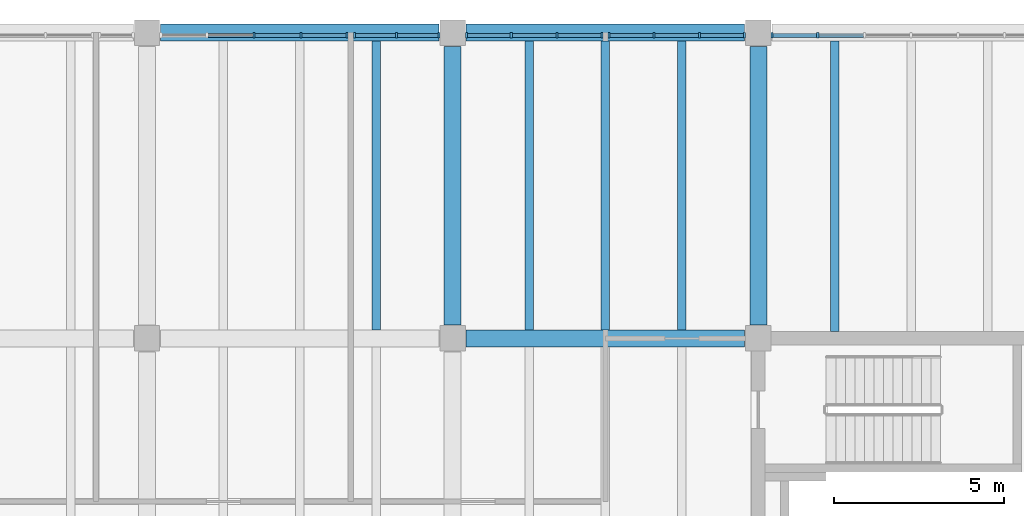
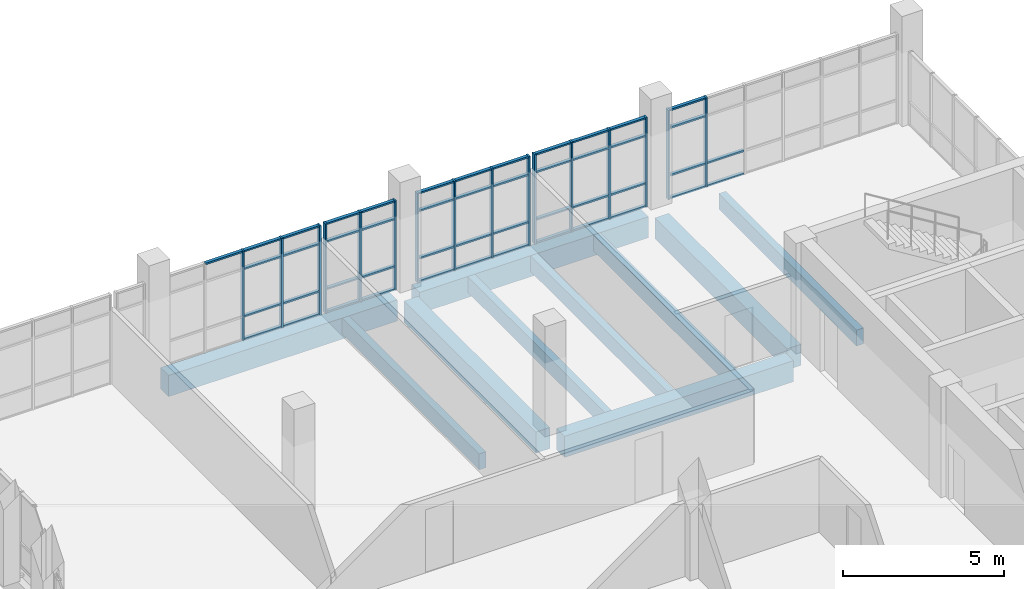
# One storey, part 5 of 14: 63 members, 10 beams, 5 elements without a shape of their own.
"""IFC4 building model written with IfcOpenShell, lengths in metres."""

from ifc_helpers import new_model, si_unit, direction, frame, origin, origin_2d, place, context, subcontext, project, spatial, rectangle, extrude, material, material_profile, profile_set, type_object, element, aggregate, save


model = new_model("IFC4")

# Units and contexts
model_context = context("Model", 3, precision=1e-05, world=origin(), true_north=direction((0.0, 1.0)))
body_context = subcontext(model_context, "Body", "Model", "MODEL_VIEW")
ifc_project = project(units=[si_unit("LENGTHUNIT", "METRE"), si_unit("AREAUNIT", "SQUARE_METRE"), si_unit("VOLUMEUNIT", "CUBIC_METRE"), si_unit("PLANEANGLEUNIT", "RADIAN"), si_unit("MASSUNIT", "GRAM", prefix="KILO")], contexts=[model_context])

# Site, building, storey
site_placement = place(None, origin())
site = spatial("IfcSite", under=ifc_project, at=site_placement, CompositionType="ELEMENT")
building_placement = place(site_placement, origin())
building = spatial("IfcBuilding", under=site, at=building_placement, Name="Merrow Basin Faculty of Sciences", CompositionType="ELEMENT")
storey_placement = place(building_placement, frame((0.0, 0.0, 27.0)))
storey = spatial("IfcBuildingStorey", under=building, at=storey_placement, Name="L06", CompositionType="ELEMENT", Elevation=27.0)

# Curtain wall, members
ifc_material_1 = material(Name="Aluminium alloy 6063", Category="aluminium")
curtain_wall_type = type_object("IfcCurtainWallType", Name="Unitised curtain wall 160", PredefinedType="NOTDEFINED", material=ifc_material_1)
curtain_wall_1_placement = place(storey_placement, origin())
curtain_wall_1 = element("IfcCurtainWall", 1, at=curtain_wall_1_placement, inside=storey, type_object=curtain_wall_type, Name="N curtain wall L06 3", PredefinedType="NOTDEFINED")
ifc_material_2 = material(Name="Aluminium alloy 6063", Category="aluminium")
ifc_material_profile_1 = material_profile(ifc_material_2, rectangle(XDim=0.159912109375, YDim=0.06005859375, at=origin_2d()))
ifc_profile_set_1 = profile_set([ifc_material_profile_1], Name="Aluminium alloy 6063")
member_type_1 = type_object("IfcMemberType", Name="Aluminium mullion 60x160", PredefinedType="MULLION", material=ifc_profile_set_1)
member_1_placement = place(storey_placement, frame((30.14990234375, 168.919921875, 0.0), z_axis=(0.0, 0.0, 1.0), x_axis=(0.0, 1.0, 0.0)))
member_1 = element("IfcMember", 2, at=member_1_placement, type_object=member_type_1, Name="CW3 mullion 3", PredefinedType="MULLION", context=body_context, shape_type="SweptSolid", body=[
    extrude(rectangle(XDim=0.159912109375, YDim=0.06005859375, at=origin_2d()), origin(), (0.0, 0.0, 1.0), 3.39990234375),
])
member_2_placement = place(storey_placement, frame((31.53759765625, 168.919921875, 0.0), z_axis=(0.0, 0.0, 1.0), x_axis=(0.0, 1.0, 0.0)))
member_2 = element("IfcMember", 3, at=member_2_placement, type_object=member_type_1, Name="CW3 mullion 4", PredefinedType="MULLION", context=body_context, shape_type="SweptSolid", body=[
    extrude(rectangle(XDim=0.159912109375, YDim=0.06005859375, at=origin_2d()), origin(), (0.0, 0.0, 1.0), 3.39990234375),
])
member_3_placement = place(storey_placement, frame((32.89501953125, 168.919921875, 0.0), z_axis=(0.0, 0.0, 1.0), x_axis=(0.0, 1.0, 0.0)))
member_3 = element("IfcMember", 4, at=member_3_placement, type_object=member_type_1, Name="CW3 mullion 5", PredefinedType="MULLION", context=body_context, shape_type="SweptSolid", body=[
    extrude(rectangle(XDim=0.159912109375, YDim=0.06005859375, at=origin_2d()), origin(), (0.0, 0.0, 1.0), 3.39990234375),
])

curtain_wall_2_placement = place(storey_placement, origin())
curtain_wall_2 = element("IfcCurtainWall", 5, at=curtain_wall_2_placement, inside=storey, type_object=curtain_wall_type, Name="N curtain wall L06 4", PredefinedType="NOTDEFINED")
member_4_placement = place(storey_placement, frame((33.10498046875, 168.919921875, 0.0), z_axis=(0.0, 0.0, 1.0), x_axis=(0.0, 1.0, 0.0)))
member_4 = element("IfcMember", 6, at=member_4_placement, type_object=member_type_1, Name="CW3 mullion 1", PredefinedType="MULLION", context=body_context, shape_type="SweptSolid", body=[
    extrude(rectangle(XDim=0.159912109375, YDim=0.06005859375, at=origin_2d()), origin(), (0.0, 0.0, 1.0), 3.39990234375),
])
member_5_placement = place(storey_placement, frame((34.35009765625, 168.919921875, 0.0), z_axis=(0.0, 0.0, 1.0), x_axis=(0.0, 1.0, 0.0)))
member_5 = element("IfcMember", 7, at=member_5_placement, type_object=member_type_1, Name="CW3 mullion 2", PredefinedType="MULLION", context=body_context, shape_type="SweptSolid", body=[
    extrude(rectangle(XDim=0.159912109375, YDim=0.06005859375, at=origin_2d()), origin(), (0.0, 0.0, 1.0), 3.39990234375),
])
member_6_placement = place(storey_placement, frame((35.594970703125, 168.919921875, 0.0), z_axis=(0.0, 0.0, 1.0), x_axis=(0.0, 1.0, 0.0)))
member_6 = element("IfcMember", 8, at=member_6_placement, type_object=member_type_1, Name="CW3 mullion 3", PredefinedType="MULLION", context=body_context, shape_type="SweptSolid", body=[
    extrude(rectangle(XDim=0.159912109375, YDim=0.06005859375, at=origin_2d()), origin(), (0.0, 0.0, 1.0), 3.39990234375),
])

curtain_wall_3_placement = place(storey_placement, origin())
curtain_wall_3 = element("IfcCurtainWall", 9, at=curtain_wall_3_placement, inside=storey, type_object=curtain_wall_type, Name="N curtain wall L06 5", PredefinedType="NOTDEFINED")
member_7_placement = place(storey_placement, frame((36.405029296875, 168.919921875, 0.0), z_axis=(0.0, 0.0, 1.0), x_axis=(0.0, 1.0, 0.0)))
member_7 = element("IfcMember", 10, at=member_7_placement, type_object=member_type_1, Name="CW3 mullion 1", PredefinedType="MULLION", context=body_context, shape_type="SweptSolid", body=[
    extrude(rectangle(XDim=0.159912109375, YDim=0.06005859375, at=origin_2d()), origin(), (0.0, 0.0, 1.0), 3.39990234375),
])
member_8_placement = place(storey_placement, frame((37.72509765625, 168.919921875, 0.0), z_axis=(0.0, 0.0, 1.0), x_axis=(0.0, 1.0, 0.0)))
member_8 = element("IfcMember", 11, at=member_8_placement, type_object=member_type_1, Name="CW3 mullion 2", PredefinedType="MULLION", context=body_context, shape_type="SweptSolid", body=[
    extrude(rectangle(XDim=0.159912109375, YDim=0.06005859375, at=origin_2d()), origin(), (0.0, 0.0, 1.0), 3.39990234375),
])
member_9_placement = place(storey_placement, frame((39.074951171875, 168.919921875, 0.0), z_axis=(0.0, 0.0, 1.0), x_axis=(0.0, 1.0, 0.0)))
member_9 = element("IfcMember", 12, at=member_9_placement, type_object=member_type_1, Name="CW3 mullion 3", PredefinedType="MULLION", context=body_context, shape_type="SweptSolid", body=[
    extrude(rectangle(XDim=0.159912109375, YDim=0.06005859375, at=origin_2d()), origin(), (0.0, 0.0, 1.0), 3.39990234375),
])
member_10_placement = place(storey_placement, frame((40.39501953125, 168.919921875, 0.0), z_axis=(0.0, 0.0, 1.0), x_axis=(0.0, 1.0, 0.0)))
member_10 = element("IfcMember", 13, at=member_10_placement, type_object=member_type_1, Name="CW3 mullion 4", PredefinedType="MULLION", context=body_context, shape_type="SweptSolid", body=[
    extrude(rectangle(XDim=0.159912109375, YDim=0.06005859375, at=origin_2d()), origin(), (0.0, 0.0, 1.0), 3.39990234375),
])

curtain_wall_4_placement = place(storey_placement, origin())
curtain_wall_4 = element("IfcCurtainWall", 14, at=curtain_wall_4_placement, inside=storey, type_object=curtain_wall_type, Name="N curtain wall L06 6", PredefinedType="NOTDEFINED")
member_11_placement = place(storey_placement, frame((40.60498046875, 168.919921875, 0.0), z_axis=(0.0, 0.0, 1.0), x_axis=(0.0, 1.0, 0.0)))
member_11 = element("IfcMember", 15, at=member_11_placement, type_object=member_type_1, Name="CW3 mullion 1", PredefinedType="MULLION", context=body_context, shape_type="SweptSolid", body=[
    extrude(rectangle(XDim=0.159912109375, YDim=0.06005859375, at=origin_2d()), origin(), (0.0, 0.0, 1.0), 3.39990234375),
])
member_12_placement = place(storey_placement, frame((41.925048828125, 168.919921875, 0.0), z_axis=(0.0, 0.0, 1.0), x_axis=(0.0, 1.0, 0.0)))
member_12 = element("IfcMember", 16, at=member_12_placement, type_object=member_type_1, Name="CW3 mullion 2", PredefinedType="MULLION", context=body_context, shape_type="SweptSolid", body=[
    extrude(rectangle(XDim=0.159912109375, YDim=0.06005859375, at=origin_2d()), origin(), (0.0, 0.0, 1.0), 3.39990234375),
])
member_13_placement = place(storey_placement, frame((43.27490234375, 168.919921875, 0.0), z_axis=(0.0, 0.0, 1.0), x_axis=(0.0, 1.0, 0.0)))
member_13 = element("IfcMember", 17, at=member_13_placement, type_object=member_type_1, Name="CW3 mullion 3", PredefinedType="MULLION", context=body_context, shape_type="SweptSolid", body=[
    extrude(rectangle(XDim=0.159912109375, YDim=0.06005859375, at=origin_2d()), origin(), (0.0, 0.0, 1.0), 3.39990234375),
])
member_14_placement = place(storey_placement, frame((44.594970703125, 168.919921875, 0.0), z_axis=(0.0, 0.0, 1.0), x_axis=(0.0, 1.0, 0.0)))
member_14 = element("IfcMember", 18, at=member_14_placement, type_object=member_type_1, Name="CW3 mullion 4", PredefinedType="MULLION", context=body_context, shape_type="SweptSolid", body=[
    extrude(rectangle(XDim=0.159912109375, YDim=0.06005859375, at=origin_2d()), origin(), (0.0, 0.0, 1.0), 3.39990234375),
])

curtain_wall_5_placement = place(storey_placement, origin())
curtain_wall_5 = element("IfcCurtainWall", 19, at=curtain_wall_5_placement, inside=storey, type_object=curtain_wall_type, Name="N curtain wall L06 7", PredefinedType="NOTDEFINED")
member_15_placement = place(storey_placement, frame((45.405029296875, 168.919921875, 0.0), z_axis=(0.0, 0.0, 1.0), x_axis=(0.0, 1.0, 0.0)))
member_15 = element("IfcMember", 20, at=member_15_placement, type_object=member_type_1, Name="CW3 mullion 1", PredefinedType="MULLION", context=body_context, shape_type="SweptSolid", body=[
    extrude(rectangle(XDim=0.159912109375, YDim=0.06005859375, at=origin_2d()), origin(), (0.0, 0.0, 1.0), 3.39990234375),
])
member_16_placement = place(storey_placement, frame((46.75, 168.919921875, 0.0), z_axis=(0.0, 0.0, 1.0), x_axis=(0.0, 1.0, 0.0)))
member_16 = element("IfcMember", 21, at=member_16_placement, type_object=member_type_1, Name="CW3 mullion 2", PredefinedType="MULLION", context=body_context, shape_type="SweptSolid", body=[
    extrude(rectangle(XDim=0.159912109375, YDim=0.06005859375, at=origin_2d()), origin(), (0.0, 0.0, 1.0), 3.39990234375),
])

# Member
ifc_material_3 = material(Name="Aluminium alloy 6063", Category="aluminium")
ifc_material_profile_2 = material_profile(ifc_material_3, rectangle(XDim=0.1201171875, YDim=0.06005859375, at=origin_2d()))
ifc_profile_set_2 = profile_set([ifc_material_profile_2], Name="Aluminium alloy 6063")
member_type_2 = type_object("IfcMemberType", Name="Aluminium transom 60x120", PredefinedType="USERDEFINED", material=ifc_profile_set_2)
member_17_placement = place(storey_placement, frame((28.79248046875, 168.919921875, 3.3701171875), z_axis=(1.0, 0.0, 0.0), x_axis=(0.0, 1.0, 0.0)))
member_17 = element("IfcMember", 22, at=member_17_placement, type_object=member_type_2, Name="CW3 transom 2.4", ObjectType="TRANSOM", PredefinedType="USERDEFINED", context=body_context, shape_type="SweptSolid", body=[
    extrude(rectangle(XDim=0.1201171875, YDim=0.06005859375, at=origin_2d()), origin(), (0.0, 0.0, 1.0), 1.32763671875),
])

member_18_placement = place(storey_placement, frame((30.179931640625, 168.919921875, 0.030029296875), z_axis=(1.0, 0.0, 0.0), x_axis=(0.0, 1.0, 0.0)))
member_18 = element("IfcMember", 23, at=member_18_placement, type_object=member_type_2, Name="CW3 transom 3.1", ObjectType="TRANSOM", PredefinedType="USERDEFINED", context=body_context, shape_type="SweptSolid", body=[
    extrude(rectangle(XDim=0.1201171875, YDim=0.06005859375, at=origin_2d()), origin(), (0.0, 0.0, 1.0), 1.32763671875),
])

member_19_placement = place(storey_placement, frame((30.179931640625, 168.919921875, 0.89990234375), z_axis=(1.0, 0.0, 0.0), x_axis=(0.0, 1.0, 0.0)))
member_19 = element("IfcMember", 24, at=member_19_placement, type_object=member_type_2, Name="CW3 transom 3.2", ObjectType="TRANSOM", PredefinedType="USERDEFINED", context=body_context, shape_type="SweptSolid", body=[
    extrude(rectangle(XDim=0.1201171875, YDim=0.06005859375, at=origin_2d()), origin(), (0.0, 0.0, 1.0), 1.32763671875),
])

member_20_placement = place(storey_placement, frame((30.179931640625, 168.919921875, 2.699951171875), z_axis=(1.0, 0.0, 0.0), x_axis=(0.0, 1.0, 0.0)))
member_20 = element("IfcMember", 25, at=member_20_placement, type_object=member_type_2, Name="CW3 transom 3.3", ObjectType="TRANSOM", PredefinedType="USERDEFINED", context=body_context, shape_type="SweptSolid", body=[
    extrude(rectangle(XDim=0.1201171875, YDim=0.06005859375, at=origin_2d()), origin(), (0.0, 0.0, 1.0), 1.32763671875),
])

member_21_placement = place(storey_placement, frame((30.179931640625, 168.919921875, 3.3701171875), z_axis=(1.0, 0.0, 0.0), x_axis=(0.0, 1.0, 0.0)))
member_21 = element("IfcMember", 26, at=member_21_placement, type_object=member_type_2, Name="CW3 transom 3.4", ObjectType="TRANSOM", PredefinedType="USERDEFINED", context=body_context, shape_type="SweptSolid", body=[
    extrude(rectangle(XDim=0.1201171875, YDim=0.06005859375, at=origin_2d()), origin(), (0.0, 0.0, 1.0), 1.32763671875),
])

member_22_placement = place(storey_placement, frame((31.5673828125, 168.919921875, 0.030029296875), z_axis=(1.0, 0.0, 0.0), x_axis=(0.0, 1.0, 0.0)))
member_22 = element("IfcMember", 27, at=member_22_placement, type_object=member_type_2, Name="CW3 transom 4.1", ObjectType="TRANSOM", PredefinedType="USERDEFINED", context=body_context, shape_type="SweptSolid", body=[
    extrude(rectangle(XDim=0.1201171875, YDim=0.06005859375, at=origin_2d()), origin(), (0.0, 0.0, 1.0), 1.297607421875),
])

member_23_placement = place(storey_placement, frame((31.5673828125, 168.919921875, 0.89990234375), z_axis=(1.0, 0.0, 0.0), x_axis=(0.0, 1.0, 0.0)))
member_23 = element("IfcMember", 28, at=member_23_placement, type_object=member_type_2, Name="CW3 transom 4.2", ObjectType="TRANSOM", PredefinedType="USERDEFINED", context=body_context, shape_type="SweptSolid", body=[
    extrude(rectangle(XDim=0.1201171875, YDim=0.06005859375, at=origin_2d()), origin(), (0.0, 0.0, 1.0), 1.297607421875),
])

member_24_placement = place(storey_placement, frame((31.5673828125, 168.919921875, 2.699951171875), z_axis=(1.0, 0.0, 0.0), x_axis=(0.0, 1.0, 0.0)))
member_24 = element("IfcMember", 29, at=member_24_placement, type_object=member_type_2, Name="CW3 transom 4.3", ObjectType="TRANSOM", PredefinedType="USERDEFINED", context=body_context, shape_type="SweptSolid", body=[
    extrude(rectangle(XDim=0.1201171875, YDim=0.06005859375, at=origin_2d()), origin(), (0.0, 0.0, 1.0), 1.297607421875),
])

member_25_placement = place(storey_placement, frame((31.5673828125, 168.919921875, 3.3701171875), z_axis=(1.0, 0.0, 0.0), x_axis=(0.0, 1.0, 0.0)))
member_25 = element("IfcMember", 30, at=member_25_placement, type_object=member_type_2, Name="CW3 transom 4.4", ObjectType="TRANSOM", PredefinedType="USERDEFINED", context=body_context, shape_type="SweptSolid", body=[
    extrude(rectangle(XDim=0.1201171875, YDim=0.06005859375, at=origin_2d()), origin(), (0.0, 0.0, 1.0), 1.297607421875),
])

aggregate(curtain_wall_1, [member_1, member_2, member_3, member_17, member_18, member_19, member_20, member_21, member_22, member_23, member_24, member_25])

member_26_placement = place(storey_placement, frame((33.135009765625, 168.919921875, 0.030029296875), z_axis=(1.0, 0.0, 0.0), x_axis=(0.0, 1.0, 0.0)))
member_26 = element("IfcMember", 31, at=member_26_placement, type_object=member_type_2, Name="CW3 transom 1.1", ObjectType="TRANSOM", PredefinedType="USERDEFINED", context=body_context, shape_type="SweptSolid", body=[
    extrude(rectangle(XDim=0.1201171875, YDim=0.06005859375, at=origin_2d()), origin(), (0.0, 0.0, 1.0), 1.18505859375),
])

member_27_placement = place(storey_placement, frame((33.135009765625, 168.919921875, 0.89990234375), z_axis=(1.0, 0.0, 0.0), x_axis=(0.0, 1.0, 0.0)))
member_27 = element("IfcMember", 32, at=member_27_placement, type_object=member_type_2, Name="CW3 transom 1.2", ObjectType="TRANSOM", PredefinedType="USERDEFINED", context=body_context, shape_type="SweptSolid", body=[
    extrude(rectangle(XDim=0.1201171875, YDim=0.06005859375, at=origin_2d()), origin(), (0.0, 0.0, 1.0), 1.18505859375),
])

member_28_placement = place(storey_placement, frame((33.135009765625, 168.919921875, 2.699951171875), z_axis=(1.0, 0.0, 0.0), x_axis=(0.0, 1.0, 0.0)))
member_28 = element("IfcMember", 33, at=member_28_placement, type_object=member_type_2, Name="CW3 transom 1.3", ObjectType="TRANSOM", PredefinedType="USERDEFINED", context=body_context, shape_type="SweptSolid", body=[
    extrude(rectangle(XDim=0.1201171875, YDim=0.06005859375, at=origin_2d()), origin(), (0.0, 0.0, 1.0), 1.18505859375),
])

member_29_placement = place(storey_placement, frame((33.135009765625, 168.919921875, 3.3701171875), z_axis=(1.0, 0.0, 0.0), x_axis=(0.0, 1.0, 0.0)))
member_29 = element("IfcMember", 34, at=member_29_placement, type_object=member_type_2, Name="CW3 transom 1.4", ObjectType="TRANSOM", PredefinedType="USERDEFINED", context=body_context, shape_type="SweptSolid", body=[
    extrude(rectangle(XDim=0.1201171875, YDim=0.06005859375, at=origin_2d()), origin(), (0.0, 0.0, 1.0), 1.18505859375),
])

member_30_placement = place(storey_placement, frame((34.3798828125, 168.919921875, 0.030029296875), z_axis=(1.0, 0.0, 0.0), x_axis=(0.0, 1.0, 0.0)))
member_30 = element("IfcMember", 35, at=member_30_placement, type_object=member_type_2, Name="CW3 transom 2.1", ObjectType="TRANSOM", PredefinedType="USERDEFINED", context=body_context, shape_type="SweptSolid", body=[
    extrude(rectangle(XDim=0.1201171875, YDim=0.06005859375, at=origin_2d()), origin(), (0.0, 0.0, 1.0), 1.18505859375),
])

member_31_placement = place(storey_placement, frame((34.3798828125, 168.919921875, 0.89990234375), z_axis=(1.0, 0.0, 0.0), x_axis=(0.0, 1.0, 0.0)))
member_31 = element("IfcMember", 36, at=member_31_placement, type_object=member_type_2, Name="CW3 transom 2.2", ObjectType="TRANSOM", PredefinedType="USERDEFINED", context=body_context, shape_type="SweptSolid", body=[
    extrude(rectangle(XDim=0.1201171875, YDim=0.06005859375, at=origin_2d()), origin(), (0.0, 0.0, 1.0), 1.18505859375),
])

member_32_placement = place(storey_placement, frame((34.3798828125, 168.919921875, 2.699951171875), z_axis=(1.0, 0.0, 0.0), x_axis=(0.0, 1.0, 0.0)))
member_32 = element("IfcMember", 37, at=member_32_placement, type_object=member_type_2, Name="CW3 transom 2.3", ObjectType="TRANSOM", PredefinedType="USERDEFINED", context=body_context, shape_type="SweptSolid", body=[
    extrude(rectangle(XDim=0.1201171875, YDim=0.06005859375, at=origin_2d()), origin(), (0.0, 0.0, 1.0), 1.18505859375),
])

member_33_placement = place(storey_placement, frame((34.3798828125, 168.919921875, 3.3701171875), z_axis=(1.0, 0.0, 0.0), x_axis=(0.0, 1.0, 0.0)))
member_33 = element("IfcMember", 38, at=member_33_placement, type_object=member_type_2, Name="CW3 transom 2.4", ObjectType="TRANSOM", PredefinedType="USERDEFINED", context=body_context, shape_type="SweptSolid", body=[
    extrude(rectangle(XDim=0.1201171875, YDim=0.06005859375, at=origin_2d()), origin(), (0.0, 0.0, 1.0), 1.18505859375),
])

aggregate(curtain_wall_2, [member_4, member_5, member_6, member_26, member_27, member_28, member_29, member_30, member_31, member_32, member_33])

member_34_placement = place(storey_placement, frame((36.43505859375, 168.919921875, 0.030029296875), z_axis=(1.0, 0.0, 0.0), x_axis=(0.0, 1.0, 0.0)))
member_34 = element("IfcMember", 39, at=member_34_placement, type_object=member_type_2, Name="CW3 transom 1.1", ObjectType="TRANSOM", PredefinedType="USERDEFINED", context=body_context, shape_type="SweptSolid", body=[
    extrude(rectangle(XDim=0.1201171875, YDim=0.06005859375, at=origin_2d()), origin(), (0.0, 0.0, 1.0), 1.260009765625),
])

member_35_placement = place(storey_placement, frame((36.43505859375, 168.919921875, 0.89990234375), z_axis=(1.0, 0.0, 0.0), x_axis=(0.0, 1.0, 0.0)))
member_35 = element("IfcMember", 40, at=member_35_placement, type_object=member_type_2, Name="CW3 transom 1.2", ObjectType="TRANSOM", PredefinedType="USERDEFINED", context=body_context, shape_type="SweptSolid", body=[
    extrude(rectangle(XDim=0.1201171875, YDim=0.06005859375, at=origin_2d()), origin(), (0.0, 0.0, 1.0), 1.260009765625),
])

member_36_placement = place(storey_placement, frame((36.43505859375, 168.919921875, 2.699951171875), z_axis=(1.0, 0.0, 0.0), x_axis=(0.0, 1.0, 0.0)))
member_36 = element("IfcMember", 41, at=member_36_placement, type_object=member_type_2, Name="CW3 transom 1.3", ObjectType="TRANSOM", PredefinedType="USERDEFINED", context=body_context, shape_type="SweptSolid", body=[
    extrude(rectangle(XDim=0.1201171875, YDim=0.06005859375, at=origin_2d()), origin(), (0.0, 0.0, 1.0), 1.260009765625),
])

member_37_placement = place(storey_placement, frame((36.43505859375, 168.919921875, 3.3701171875), z_axis=(1.0, 0.0, 0.0), x_axis=(0.0, 1.0, 0.0)))
member_37 = element("IfcMember", 42, at=member_37_placement, type_object=member_type_2, Name="CW3 transom 1.4", ObjectType="TRANSOM", PredefinedType="USERDEFINED", context=body_context, shape_type="SweptSolid", body=[
    extrude(rectangle(XDim=0.1201171875, YDim=0.06005859375, at=origin_2d()), origin(), (0.0, 0.0, 1.0), 1.260009765625),
])

member_38_placement = place(storey_placement, frame((37.7548828125, 168.919921875, 0.030029296875), z_axis=(1.0, 0.0, 0.0), x_axis=(0.0, 1.0, 0.0)))
member_38 = element("IfcMember", 43, at=member_38_placement, type_object=member_type_2, Name="CW3 transom 2.1", ObjectType="TRANSOM", PredefinedType="USERDEFINED", context=body_context, shape_type="SweptSolid", body=[
    extrude(rectangle(XDim=0.1201171875, YDim=0.06005859375, at=origin_2d()), origin(), (0.0, 0.0, 1.0), 1.2900390625),
])

member_39_placement = place(storey_placement, frame((37.7548828125, 168.919921875, 0.89990234375), z_axis=(1.0, 0.0, 0.0), x_axis=(0.0, 1.0, 0.0)))
member_39 = element("IfcMember", 44, at=member_39_placement, type_object=member_type_2, Name="CW3 transom 2.2", ObjectType="TRANSOM", PredefinedType="USERDEFINED", context=body_context, shape_type="SweptSolid", body=[
    extrude(rectangle(XDim=0.1201171875, YDim=0.06005859375, at=origin_2d()), origin(), (0.0, 0.0, 1.0), 1.2900390625),
])

member_40_placement = place(storey_placement, frame((37.7548828125, 168.919921875, 2.699951171875), z_axis=(1.0, 0.0, 0.0), x_axis=(0.0, 1.0, 0.0)))
member_40 = element("IfcMember", 45, at=member_40_placement, type_object=member_type_2, Name="CW3 transom 2.3", ObjectType="TRANSOM", PredefinedType="USERDEFINED", context=body_context, shape_type="SweptSolid", body=[
    extrude(rectangle(XDim=0.1201171875, YDim=0.06005859375, at=origin_2d()), origin(), (0.0, 0.0, 1.0), 1.2900390625),
])

member_41_placement = place(storey_placement, frame((37.7548828125, 168.919921875, 3.3701171875), z_axis=(1.0, 0.0, 0.0), x_axis=(0.0, 1.0, 0.0)))
member_41 = element("IfcMember", 46, at=member_41_placement, type_object=member_type_2, Name="CW3 transom 2.4", ObjectType="TRANSOM", PredefinedType="USERDEFINED", context=body_context, shape_type="SweptSolid", body=[
    extrude(rectangle(XDim=0.1201171875, YDim=0.06005859375, at=origin_2d()), origin(), (0.0, 0.0, 1.0), 1.2900390625),
])

member_42_placement = place(storey_placement, frame((39.10498046875, 168.919921875, 0.030029296875), z_axis=(1.0, 0.0, 0.0), x_axis=(0.0, 1.0, 0.0)))
member_42 = element("IfcMember", 47, at=member_42_placement, type_object=member_type_2, Name="CW3 transom 3.1", ObjectType="TRANSOM", PredefinedType="USERDEFINED", context=body_context, shape_type="SweptSolid", body=[
    extrude(rectangle(XDim=0.1201171875, YDim=0.06005859375, at=origin_2d()), origin(), (0.0, 0.0, 1.0), 1.260009765625),
])

member_43_placement = place(storey_placement, frame((39.10498046875, 168.919921875, 0.89990234375), z_axis=(1.0, 0.0, 0.0), x_axis=(0.0, 1.0, 0.0)))
member_43 = element("IfcMember", 48, at=member_43_placement, type_object=member_type_2, Name="CW3 transom 3.2", ObjectType="TRANSOM", PredefinedType="USERDEFINED", context=body_context, shape_type="SweptSolid", body=[
    extrude(rectangle(XDim=0.1201171875, YDim=0.06005859375, at=origin_2d()), origin(), (0.0, 0.0, 1.0), 1.260009765625),
])

member_44_placement = place(storey_placement, frame((39.10498046875, 168.919921875, 2.699951171875), z_axis=(1.0, 0.0, 0.0), x_axis=(0.0, 1.0, 0.0)))
member_44 = element("IfcMember", 49, at=member_44_placement, type_object=member_type_2, Name="CW3 transom 3.3", ObjectType="TRANSOM", PredefinedType="USERDEFINED", context=body_context, shape_type="SweptSolid", body=[
    extrude(rectangle(XDim=0.1201171875, YDim=0.06005859375, at=origin_2d()), origin(), (0.0, 0.0, 1.0), 1.260009765625),
])

member_45_placement = place(storey_placement, frame((39.10498046875, 168.919921875, 3.3701171875), z_axis=(1.0, 0.0, 0.0), x_axis=(0.0, 1.0, 0.0)))
member_45 = element("IfcMember", 50, at=member_45_placement, type_object=member_type_2, Name="CW3 transom 3.4", ObjectType="TRANSOM", PredefinedType="USERDEFINED", context=body_context, shape_type="SweptSolid", body=[
    extrude(rectangle(XDim=0.1201171875, YDim=0.06005859375, at=origin_2d()), origin(), (0.0, 0.0, 1.0), 1.260009765625),
])

aggregate(curtain_wall_3, [member_7, member_8, member_9, member_10, member_34, member_35, member_36, member_37, member_38, member_39, member_40, member_41, member_42, member_43, member_44, member_45])

member_46_placement = place(storey_placement, frame((40.635009765625, 168.919921875, 0.030029296875), z_axis=(1.0, 0.0, 0.0), x_axis=(0.0, 1.0, 0.0)))
member_46 = element("IfcMember", 51, at=member_46_placement, type_object=member_type_2, Name="CW3 transom 1.1", ObjectType="TRANSOM", PredefinedType="USERDEFINED", context=body_context, shape_type="SweptSolid", body=[
    extrude(rectangle(XDim=0.1201171875, YDim=0.06005859375, at=origin_2d()), origin(), (0.0, 0.0, 1.0), 1.260009765625),
])

member_47_placement = place(storey_placement, frame((40.635009765625, 168.919921875, 0.89990234375), z_axis=(1.0, 0.0, 0.0), x_axis=(0.0, 1.0, 0.0)))
member_47 = element("IfcMember", 52, at=member_47_placement, type_object=member_type_2, Name="CW3 transom 1.2", ObjectType="TRANSOM", PredefinedType="USERDEFINED", context=body_context, shape_type="SweptSolid", body=[
    extrude(rectangle(XDim=0.1201171875, YDim=0.06005859375, at=origin_2d()), origin(), (0.0, 0.0, 1.0), 1.260009765625),
])

member_48_placement = place(storey_placement, frame((40.635009765625, 168.919921875, 2.699951171875), z_axis=(1.0, 0.0, 0.0), x_axis=(0.0, 1.0, 0.0)))
member_48 = element("IfcMember", 53, at=member_48_placement, type_object=member_type_2, Name="CW3 transom 1.3", ObjectType="TRANSOM", PredefinedType="USERDEFINED", context=body_context, shape_type="SweptSolid", body=[
    extrude(rectangle(XDim=0.1201171875, YDim=0.06005859375, at=origin_2d()), origin(), (0.0, 0.0, 1.0), 1.260009765625),
])

member_49_placement = place(storey_placement, frame((40.635009765625, 168.919921875, 3.3701171875), z_axis=(1.0, 0.0, 0.0), x_axis=(0.0, 1.0, 0.0)))
member_49 = element("IfcMember", 54, at=member_49_placement, type_object=member_type_2, Name="CW3 transom 1.4", ObjectType="TRANSOM", PredefinedType="USERDEFINED", context=body_context, shape_type="SweptSolid", body=[
    extrude(rectangle(XDim=0.1201171875, YDim=0.06005859375, at=origin_2d()), origin(), (0.0, 0.0, 1.0), 1.260009765625),
])

member_50_placement = place(storey_placement, frame((41.955078125, 168.919921875, 0.030029296875), z_axis=(1.0, 0.0, 0.0), x_axis=(0.0, 1.0, 0.0)))
member_50 = element("IfcMember", 55, at=member_50_placement, type_object=member_type_2, Name="CW3 transom 2.1", ObjectType="TRANSOM", PredefinedType="USERDEFINED", context=body_context, shape_type="SweptSolid", body=[
    extrude(rectangle(XDim=0.1201171875, YDim=0.06005859375, at=origin_2d()), origin(), (0.0, 0.0, 1.0), 1.2900390625),
])

member_51_placement = place(storey_placement, frame((41.955078125, 168.919921875, 0.89990234375), z_axis=(1.0, 0.0, 0.0), x_axis=(0.0, 1.0, 0.0)))
member_51 = element("IfcMember", 56, at=member_51_placement, type_object=member_type_2, Name="CW3 transom 2.2", ObjectType="TRANSOM", PredefinedType="USERDEFINED", context=body_context, shape_type="SweptSolid", body=[
    extrude(rectangle(XDim=0.1201171875, YDim=0.06005859375, at=origin_2d()), origin(), (0.0, 0.0, 1.0), 1.2900390625),
])

member_52_placement = place(storey_placement, frame((41.955078125, 168.919921875, 2.699951171875), z_axis=(1.0, 0.0, 0.0), x_axis=(0.0, 1.0, 0.0)))
member_52 = element("IfcMember", 57, at=member_52_placement, type_object=member_type_2, Name="CW3 transom 2.3", ObjectType="TRANSOM", PredefinedType="USERDEFINED", context=body_context, shape_type="SweptSolid", body=[
    extrude(rectangle(XDim=0.1201171875, YDim=0.06005859375, at=origin_2d()), origin(), (0.0, 0.0, 1.0), 1.2900390625),
])

member_53_placement = place(storey_placement, frame((41.955078125, 168.919921875, 3.3701171875), z_axis=(1.0, 0.0, 0.0), x_axis=(0.0, 1.0, 0.0)))
member_53 = element("IfcMember", 58, at=member_53_placement, type_object=member_type_2, Name="CW3 transom 2.4", ObjectType="TRANSOM", PredefinedType="USERDEFINED", context=body_context, shape_type="SweptSolid", body=[
    extrude(rectangle(XDim=0.1201171875, YDim=0.06005859375, at=origin_2d()), origin(), (0.0, 0.0, 1.0), 1.2900390625),
])

member_54_placement = place(storey_placement, frame((43.304931640625, 168.919921875, 0.030029296875), z_axis=(1.0, 0.0, 0.0), x_axis=(0.0, 1.0, 0.0)))
member_54 = element("IfcMember", 59, at=member_54_placement, type_object=member_type_2, Name="CW3 transom 3.1", ObjectType="TRANSOM", PredefinedType="USERDEFINED", context=body_context, shape_type="SweptSolid", body=[
    extrude(rectangle(XDim=0.1201171875, YDim=0.06005859375, at=origin_2d()), origin(), (0.0, 0.0, 1.0), 1.260009765625),
])

member_55_placement = place(storey_placement, frame((43.304931640625, 168.919921875, 0.89990234375), z_axis=(1.0, 0.0, 0.0), x_axis=(0.0, 1.0, 0.0)))
member_55 = element("IfcMember", 60, at=member_55_placement, type_object=member_type_2, Name="CW3 transom 3.2", ObjectType="TRANSOM", PredefinedType="USERDEFINED", context=body_context, shape_type="SweptSolid", body=[
    extrude(rectangle(XDim=0.1201171875, YDim=0.06005859375, at=origin_2d()), origin(), (0.0, 0.0, 1.0), 1.260009765625),
])

member_56_placement = place(storey_placement, frame((43.304931640625, 168.919921875, 2.699951171875), z_axis=(1.0, 0.0, 0.0), x_axis=(0.0, 1.0, 0.0)))
member_56 = element("IfcMember", 61, at=member_56_placement, type_object=member_type_2, Name="CW3 transom 3.3", ObjectType="TRANSOM", PredefinedType="USERDEFINED", context=body_context, shape_type="SweptSolid", body=[
    extrude(rectangle(XDim=0.1201171875, YDim=0.06005859375, at=origin_2d()), origin(), (0.0, 0.0, 1.0), 1.260009765625),
])

member_57_placement = place(storey_placement, frame((43.304931640625, 168.919921875, 3.3701171875), z_axis=(1.0, 0.0, 0.0), x_axis=(0.0, 1.0, 0.0)))
member_57 = element("IfcMember", 62, at=member_57_placement, type_object=member_type_2, Name="CW3 transom 3.4", ObjectType="TRANSOM", PredefinedType="USERDEFINED", context=body_context, shape_type="SweptSolid", body=[
    extrude(rectangle(XDim=0.1201171875, YDim=0.06005859375, at=origin_2d()), origin(), (0.0, 0.0, 1.0), 1.260009765625),
])

aggregate(curtain_wall_4, [member_11, member_12, member_13, member_14, member_46, member_47, member_48, member_49, member_50, member_51, member_52, member_53, member_54, member_55, member_56, member_57])

member_58_placement = place(storey_placement, frame((45.43505859375, 168.919921875, 0.030029296875), z_axis=(1.0, 0.0, 0.0), x_axis=(0.0, 1.0, 0.0)))
member_58 = element("IfcMember", 63, at=member_58_placement, type_object=member_type_2, Name="CW3 transom 1.1", ObjectType="TRANSOM", PredefinedType="USERDEFINED", context=body_context, shape_type="SweptSolid", body=[
    extrude(rectangle(XDim=0.1201171875, YDim=0.06005859375, at=origin_2d()), origin(), (0.0, 0.0, 1.0), 1.284912109375),
])

member_59_placement = place(storey_placement, frame((45.43505859375, 168.919921875, 0.89990234375), z_axis=(1.0, 0.0, 0.0), x_axis=(0.0, 1.0, 0.0)))
member_59 = element("IfcMember", 64, at=member_59_placement, type_object=member_type_2, Name="CW3 transom 1.2", ObjectType="TRANSOM", PredefinedType="USERDEFINED", context=body_context, shape_type="SweptSolid", body=[
    extrude(rectangle(XDim=0.1201171875, YDim=0.06005859375, at=origin_2d()), origin(), (0.0, 0.0, 1.0), 1.284912109375),
])

member_60_placement = place(storey_placement, frame((45.43505859375, 168.919921875, 2.699951171875), z_axis=(1.0, 0.0, 0.0), x_axis=(0.0, 1.0, 0.0)))
member_60 = element("IfcMember", 65, at=member_60_placement, type_object=member_type_2, Name="CW3 transom 1.3", ObjectType="TRANSOM", PredefinedType="USERDEFINED", context=body_context, shape_type="SweptSolid", body=[
    extrude(rectangle(XDim=0.1201171875, YDim=0.06005859375, at=origin_2d()), origin(), (0.0, 0.0, 1.0), 1.284912109375),
])

member_61_placement = place(storey_placement, frame((45.43505859375, 168.919921875, 3.3701171875), z_axis=(1.0, 0.0, 0.0), x_axis=(0.0, 1.0, 0.0)))
member_61 = element("IfcMember", 66, at=member_61_placement, type_object=member_type_2, Name="CW3 transom 1.4", ObjectType="TRANSOM", PredefinedType="USERDEFINED", context=body_context, shape_type="SweptSolid", body=[
    extrude(rectangle(XDim=0.1201171875, YDim=0.06005859375, at=origin_2d()), origin(), (0.0, 0.0, 1.0), 1.284912109375),
])

member_62_placement = place(storey_placement, frame((46.780029296875, 168.919921875, 0.030029296875), z_axis=(1.0, 0.0, 0.0), x_axis=(0.0, 1.0, 0.0)))
member_62 = element("IfcMember", 67, at=member_62_placement, type_object=member_type_2, Name="CW3 transom 2.1", ObjectType="TRANSOM", PredefinedType="USERDEFINED", context=body_context, shape_type="SweptSolid", body=[
    extrude(rectangle(XDim=0.1201171875, YDim=0.06005859375, at=origin_2d()), origin(), (0.0, 0.0, 1.0), 1.31494140625),
])

member_63_placement = place(storey_placement, frame((46.780029296875, 168.919921875, 0.89990234375), z_axis=(1.0, 0.0, 0.0), x_axis=(0.0, 1.0, 0.0)))
member_63 = element("IfcMember", 68, at=member_63_placement, type_object=member_type_2, Name="CW3 transom 2.2", ObjectType="TRANSOM", PredefinedType="USERDEFINED", context=body_context, shape_type="SweptSolid", body=[
    extrude(rectangle(XDim=0.1201171875, YDim=0.06005859375, at=origin_2d()), origin(), (0.0, 0.0, 1.0), 1.31494140625),
])

aggregate(curtain_wall_5, [member_15, member_16, member_58, member_59, member_60, member_61, member_62, member_63])

# Beams
ifc_material_4 = material(Name="Concrete C40/50", Category="concrete")
ifc_material_profile_3 = material_profile(ifc_material_4, rectangle(XDim=0.5, YDim=0.800048828125, at=origin_2d()))
ifc_profile_set_3 = profile_set([ifc_material_profile_3], Name="Concrete C40/50")
beam_type_1 = type_object("IfcBeamType", Name="Beam RC500x800 C40/50", PredefinedType="BEAM", material=ifc_profile_set_3)
for number, where, z_axis, x_axis, name in (
    (69, (36.39990234375, 160.0, -0.699951171875), (1.0, 0.0, 0.0), (0.0, 1.0, 0.0), "B4 L06 008"),
    (70, (27.39990234375, 169.0, -0.699951171875), (1.0, 0.0, 0.0), (0.0, 1.0, 0.0), "B4 L06 010"),
    (71, (36.39990234375, 169.0, -0.699951171875), (1.0, 0.0, 0.0), (0.0, 1.0, 0.0), "B4 L06 011"),
    (72, (36.0, 160.39990234375, -0.699951171875), (0.0, 1.0, 0.0), (-1.0, 0.0, 0.0), "B4 L06 019"),
    (73, (45.0, 160.39990234375, -0.699951171875), (0.0, 1.0, 0.0), (-1.0, 0.0, 0.0), "B4 L06 020"),
):
    element("IfcBeam", number, at=place(storey_placement, frame(where, z_axis=z_axis, x_axis=x_axis)), inside=storey, type_object=beam_type_1, Name=name, PredefinedType="BEAM", context=body_context, shape_type="SweptSolid", body=[
        extrude(rectangle(XDim=0.5, YDim=0.800048828125, at=origin_2d()), origin(), (0.0, 0.0, 1.0), 8.2001953125),
    ])
ifc_material_5 = material(Name="Concrete C40/50", Category="concrete")
ifc_material_profile_4 = material_profile(ifc_material_5, rectangle(XDim=0.25, YDim=0.60009765625, at=origin_2d()))
ifc_profile_set_4 = profile_set([ifc_material_profile_4], Name="Concrete C40/50")
beam_type_2 = type_object("IfcBeamType", Name="Tower floor joist RC250x600 C40/50", PredefinedType="BEAM", material=ifc_profile_set_4)
for number, where, z_axis, x_axis, name in (
    (74, (33.75, 160.25, -0.60009765625), (0.0, 1.0, 0.0), (-1.0, 0.0, 0.0), "JT1 L06 040"),
    (75, (38.25, 160.25, -0.60009765625), (0.0, 1.0, 0.0), (-1.0, 0.0, 0.0), "JT1 L06 047"),
    (76, (40.5, 160.25, -0.60009765625), (0.0, 1.0, 0.0), (-1.0, 0.0, 0.0), "JT1 L06 048"),
    (77, (42.75, 160.25, -0.60009765625), (0.0, 1.0, 0.0), (-1.0, 0.0, 0.0), "JT1 L06 049"),
):
    element("IfcBeam", number, at=place(storey_placement, frame(where, z_axis=z_axis, x_axis=x_axis)), inside=storey, type_object=beam_type_2, Name=name, PredefinedType="BEAM", context=body_context, shape_type="SweptSolid", body=[
        extrude(rectangle(XDim=0.25, YDim=0.60009765625, at=origin_2d()), origin(), (0.0, 0.0, 1.0), 8.5),
    ])
beam_placement = place(storey_placement, frame((47.25, 160.199951171875, -0.60009765625), z_axis=(0.0, 1.0, 0.0), x_axis=(-1.0, 0.0, 0.0)))
element("IfcBeam", 78, at=beam_placement, inside=storey, type_object=beam_type_2, Name="JT1 L06 056", PredefinedType="BEAM", context=body_context, shape_type="SweptSolid", body=[
    extrude(rectangle(XDim=0.25, YDim=0.60009765625, at=origin_2d()), origin(), (0.0, 0.0, 1.0), 8.550048828125),
])

save(model, "model.ifc")
